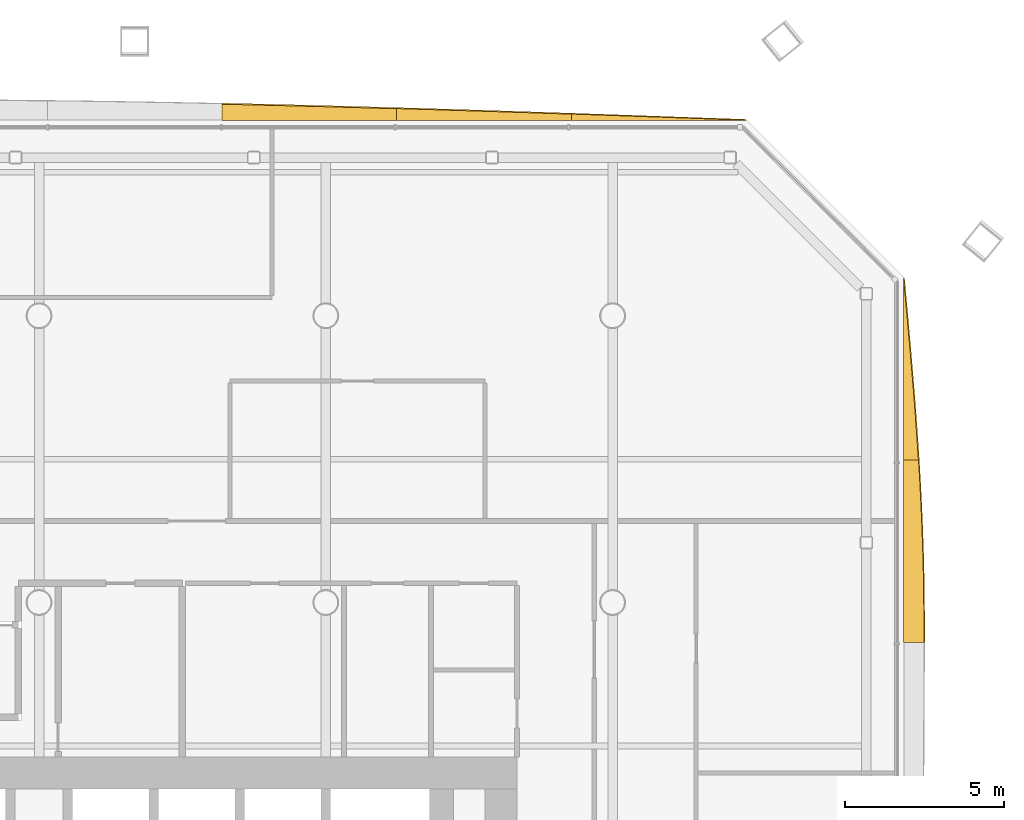
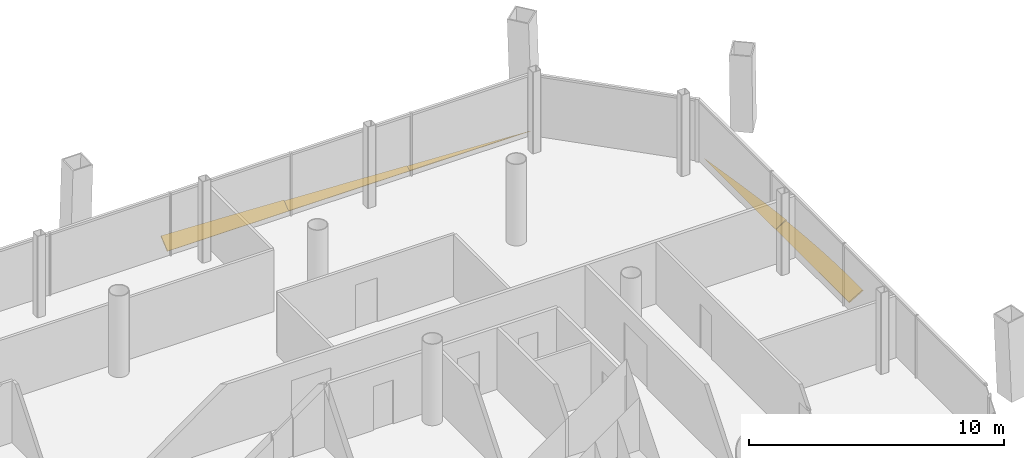
# One storey, part 19 of 19: 5 shading devices.
"""IFC4 building model written with IfcOpenShell, lengths in metres."""

from ifc_helpers import new_model, si_unit, direction, frame, origin, place, context, subcontext, project, spatial, polyline, outline, extrude, material, layer, layer_set, type_object, element, save


model = new_model("IFC4")

# Units and contexts
model_context = context("Model", 3, precision=1e-05, world=origin(), true_north=direction((0.0, 1.0)))
body_context = subcontext(model_context, "Body", "Model", "MODEL_VIEW")
ifc_project = project(units=[si_unit("LENGTHUNIT", "METRE"), si_unit("AREAUNIT", "SQUARE_METRE"), si_unit("VOLUMEUNIT", "CUBIC_METRE"), si_unit("PLANEANGLEUNIT", "RADIAN"), si_unit("MASSUNIT", "GRAM", prefix="KILO")], contexts=[model_context])

# Site, building, storey
site_placement = place(None, origin())
site = spatial("IfcSite", under=ifc_project, at=site_placement, CompositionType="ELEMENT")
building_placement = place(site_placement, origin())
building = spatial("IfcBuilding", under=site, at=building_placement, Name="Tskaro Facet Tower", CompositionType="ELEMENT")
storey_placement = place(building_placement, frame((0.0, 0.0, 105.0)))
storey = spatial("IfcBuildingStorey", under=building, at=storey_placement, Name="L25", CompositionType="ELEMENT", Elevation=105.0)

# Shading devices
ifc_material = material(Name="Bronze anodised aluminium 6063-T6", Category="aluminium")
ifc_layer = layer(ifc_material, 0.06005859375, Name="Bronze anodised aluminium 6063-T6")
ifc_layer_set = layer_set([ifc_layer], Name="Bronze anodised aluminium 6063-T6")
shading_device_type = type_object("IfcShadingDeviceType", Name="Bronze sun blade (FN1)", PredefinedType="USERDEFINED", material=ifc_layer_set)
shading_device_1_placement = place(storey_placement, frame((27.135009765625, 7.74462890625, 0.052001953125), z_axis=(-0.499968583328, 1.324236e-06, 0.866043541448), x_axis=(6.62076e-07, 0.999999999999, -1.146846e-06)))
element("IfcShadingDevice", 1, at=shading_device_1_placement, inside=storey, type_object=shading_device_type, Name="Fin blade east 6", ObjectType="FIN", PredefinedType="USERDEFINED", context=body_context, shape_type="SweptSolid", body=[
    extrude(outline(polyline([(0.0, 0.0), (5.721191406244984, 0.0), (5.721191406426035, -0.5383565778795063), (5.006103515442888, -0.5867184684851038), (4.2910156249851905, -0.6289313174556876), (3.5756835937813825, -0.6641493791453122), (2.8605957032431046, -0.6925840899654641), (2.145507812540429, -0.7134790780392695), (1.4304199218349962, -0.7270457797782152), (0.7153320310835175, -0.732739259716914), (0.5493164062453028, -0.7329506961284004), (1.1413641007759504e-10, -0.7326171970744998), (0.0, 0.0)])), origin(), (0.0, 0.0, -1.0), 0.06005859375),
])
shading_device_2_placement = place(storey_placement, frame((27.130615234375, 13.4658203125, 0.049072265625), z_axis=(-0.573740648619, -4.14381e-07, 0.819037037088), x_axis=(-2.37747e-07, 1.0, 3.39393e-07)))
element("IfcShadingDevice", 2, at=shading_device_2_placement, inside=storey, type_object=shading_device_type, Name="Fin blade east 7", ObjectType="FIN", PredefinedType="USERDEFINED", context=body_context, shape_type="SweptSolid", body=[
    extrude(outline(polyline([(0.0, 0.0), (5.721191406249509, -1.5143867558255977e-22), (5.00610351564647, -0.07992313668945675), (4.291015625027026, -0.1586262123207568), (3.5756835937661795, -0.23610922689390007), (2.860595703130752, -0.3106121255219225), (2.1455078124957434, -0.382134908204824), (1.4304199218447509, -0.4494575138844479), (0.7150878905860014, -0.5120399487319867), (2.723092921014294e-12, -0.569342218918633), (0.0, 0.0)])), origin(), (0.0, 0.0, -1.0), 0.06005859375),
])
shading_device_3_placement = place(storey_placement, frame((22.18701171875, 24.135009765625, 0.052001953125), z_axis=(1.1841751e-05, -0.49975754971, 0.866165337201), x_axis=(-0.99999999993, -5.918004e-06, 1.0256914e-05)))
element("IfcShadingDevice", 3, at=shading_device_3_placement, inside=storey, type_object=shading_device_type, Name="Fin blade north 1", ObjectType="FIN", PredefinedType="USERDEFINED", context=body_context, shape_type="SweptSolid", body=[
    extrude(outline(polyline([(0.0, 0.0), (5.481933593365643, 0.0), (5.481933594124942, -0.22411869102920878), (4.79687500033978, -0.19677385203993628), (4.111572265929634, -0.1694290130506638), (3.4262695319050094, -0.1415392306472635), (2.740966796821081, -0.11331597097652774), (2.0556640617371524, -0.08509271130579196), (1.3706054672782066, -0.05686945163505619), (0.6853027336391033, -0.028434725817528095), (0.0, 0.0)])), origin(), (0.0, 0.0, -1.0), 0.06005859375),
])
shading_device_4_placement = place(storey_placement, frame((16.705078125, 24.130615234375, 0.049072265625), z_axis=(1.1187811e-05, -0.573695510391, 0.819068654773), x_axis=(-0.999999999937, -6.418397e-06, 9.163586e-06)))
element("IfcShadingDevice", 4, at=shading_device_4_placement, inside=storey, type_object=shading_device_type, Name="Fin blade north 2", ObjectType="FIN", PredefinedType="USERDEFINED", context=body_context, shape_type="SweptSolid", body=[
    extrude(outline(polyline([(0.0, 0.0), (5.4821777340319064, 0.0), (5.482177735279719, -0.45135763671075113), (4.796874999012894, -0.426496617798246), (4.11157226520984, -0.40089563270534534), (3.4262695307365734, -0.3749546172986626), (2.740966797160087, -0.348473603644891), (2.055908202868161, -0.32131252936355525), (1.3706054688480296, -0.2936114568351307), (0.6853027341576864, -0.26557035399292395), (3.641226873537983e-10, -0.23698925290362846), (0.0, 0.0)])), origin(), (0.0, 0.0, -1.0), 0.06005859375),
])
shading_device_5_placement = place(storey_placement, frame((11.222900390625, 24.12646484375, 0.0458984375), z_axis=(-1.2618424e-05, -0.642857431429, 0.765985850194), x_axis=(-0.99999999992, 8.111848e-06, -9.665534e-06)))
element("IfcShadingDevice", 5, at=shading_device_5_placement, inside=storey, type_object=shading_device_type, Name="Fin blade north 3", ObjectType="FIN", PredefinedType="USERDEFINED", context=body_context, shape_type="SweptSolid", body=[
    extrude(outline(polyline([(0.0, 0.0), (5.48193359331357, 4.643378368566421e-21), (5.481933594173408, -0.6654454773646201), (4.796630859773188, -0.6456896889972441), (4.111328124151172, -0.6250589806069858), (3.4262695322725225, -0.6035834128429606), (2.7409667965666653, -0.5810459167918307), (2.055664063979194, -0.5576635613669337), (1.3703613258297458, -0.5333762252700397), (0.6850585927791147, -0.5084310380636009), (-8.68331209485503e-10, -0.4826109308342801), (0.0, 0.0)])), origin(), (0.0, 0.0, -1.0), 0.06005859375),
])

save(model, "model.ifc")
